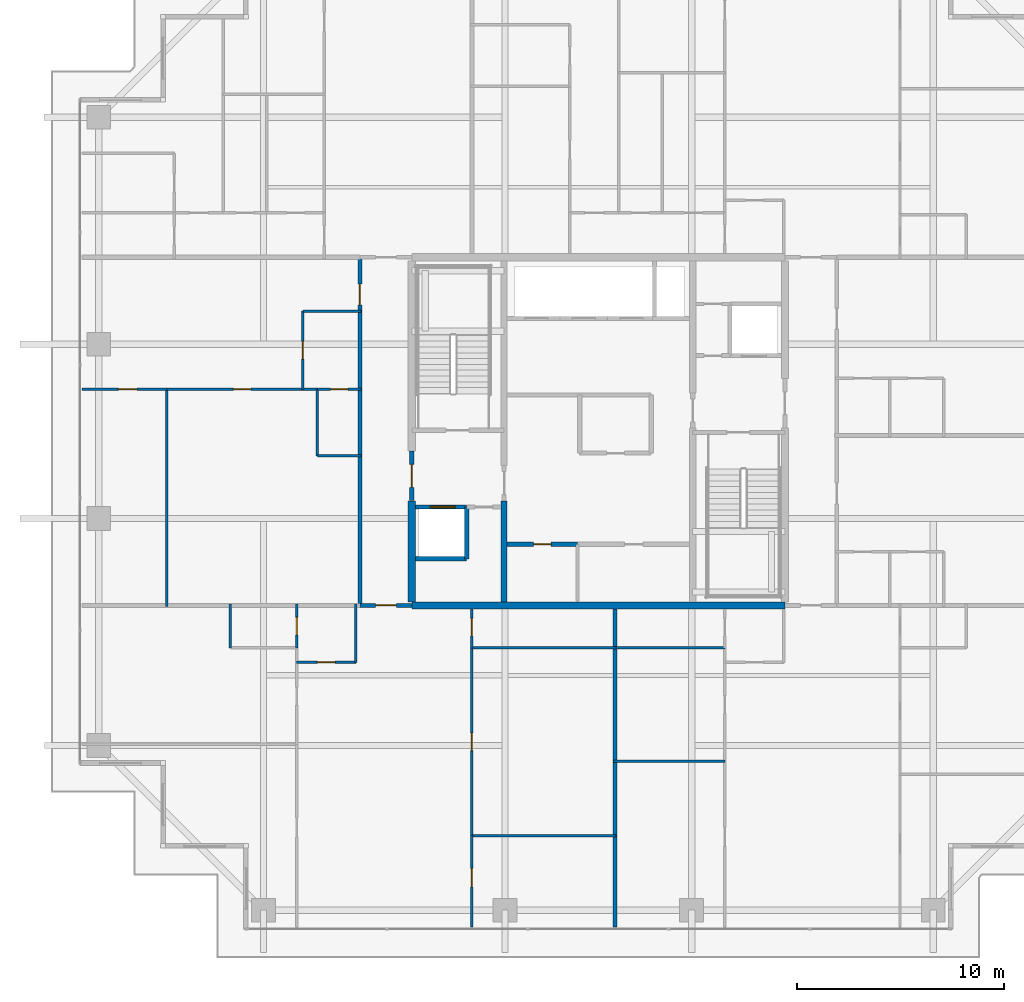
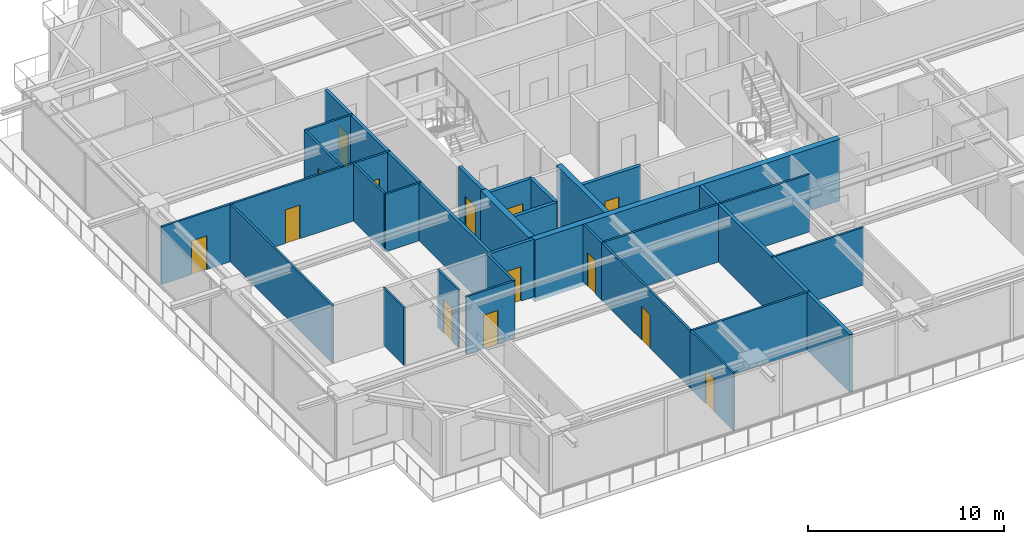
# One storey, part 26 of 37: 30 walls, 14 doors, 14 openings.
"""IFC4 building model written with IfcOpenShell, lengths in metres."""

from ifc_helpers import new_model, si_unit, direction, frame, frame_2d, origin, place, context, subcontext, project, spatial, rectangle, extrude, source, transform, mapped, material, layer, layer_set, type_object, element, fill, save


model = new_model("IFC4")

# Units and contexts
model_context = context("Model", 3, precision=1e-05, world=origin(), true_north=direction((0.0, 1.0)))
body_context = subcontext(model_context, "Body", "Model", "MODEL_VIEW")
ifc_project = project(units=[si_unit("LENGTHUNIT", "METRE"), si_unit("AREAUNIT", "SQUARE_METRE"), si_unit("VOLUMEUNIT", "CUBIC_METRE"), si_unit("PLANEANGLEUNIT", "RADIAN"), si_unit("MASSUNIT", "GRAM", prefix="KILO")], contexts=[model_context])

# Site, building, storey
site_placement = place(None, origin())
site = spatial("IfcSite", under=ifc_project, at=site_placement, CompositionType="ELEMENT")
building_placement = place(site_placement, origin())
building = spatial("IfcBuilding", under=site, at=building_placement, Name="Serunith Strait Residences", CompositionType="ELEMENT")
storey_placement = place(building_placement, frame((0.0, 0.0, 279.75)))
storey = spatial("IfcBuildingStorey", under=building, at=storey_placement, Name="L70", CompositionType="ELEMENT", Elevation=279.75)

# Wall, opening, door
ifc_material_1 = material(Name="Fire-rated acoustic gypsum partition")
ifc_layer_1 = layer(ifc_material_1, 0.179931640625, Name="Fire-rated acoustic gypsum partition")
ifc_layer_set_1 = layer_set([ifc_layer_1], Name="Fire-rated acoustic gypsum partition")
wall_type_1 = type_object("IfcWallType", Name="IW-CORR-180", PredefinedType="PARTITIONING", material=ifc_layer_set_1)
wall_1_placement = place(storey_placement, frame((20.902099609375, 16.800048828125, 0.0), z_axis=(0.0, 0.0, 1.0), x_axis=(1.0, 0.0, 0.0)))
wall_1 = element("IfcWall", 1, at=wall_1_placement, inside=storey, type_object=wall_type_1, Name="L70 Partition Wall 026", PredefinedType="PARTITIONING", context=body_context, shape_type="SweptSolid", body=[
    extrude(rectangle(XDim=2.495849609375, YDim=0.179931640625, at=frame_2d((1.248046875, 0.0))), origin(), (0.0, 0.0, 1.0), 3.590087890625),
])
opening_1_placement = place(wall_1_placement, frame((0.748046875, 0.0, 0.0)))
opening_1 = element("IfcOpeningElement", 2, at=opening_1_placement, cuts=wall_1, Name="Opening D-APT1000", PredefinedType="OPENING", context=body_context, shape_type="SweptSolid", body=[
    extrude(rectangle(XDim=1.0, YDim=2.14990234375, at=frame_2d((0.5, 1.074951171875))), frame((0.0, 0.10009765625, 0.0), z_axis=(0.0, -1.0, 0.0), x_axis=(1.0, 0.0, 0.0)), (0.0, 0.0, 1.0), 0.199951171875),
])
ifc_material_2 = material(Name="Solid timber engineered fire door", Category="wood")
door_type_1 = type_object("IfcDoorType", Name="ID-APT-1000", OperationType="NOTDEFINED", PredefinedType="DOOR", material=ifc_material_2)
shared_shape_1 = source(origin(), body_context, "Body", "SweptSolid", [
    extrude(rectangle(XDim=1.0, YDim=2.14990234375, at=frame_2d((0.5, 1.074951171875))), frame((0.0, 0.02490234375, 0.0), z_axis=(0.0, -1.0, 0.0), x_axis=(1.0, 0.0, 0.0)), (0.0, 0.0, 1.0), 0.050048828125),
])
door_1_placement = place(opening_1_placement, origin())
door_1 = element("IfcDoor", 3, at=door_1_placement, inside=storey, type_object=door_type_1, Name="L70 Unit 01 Entrance Door", OperationType="SINGLE_SWING_RIGHT", OverallHeight=2.14990234375, OverallWidth=1.0, PredefinedType="DOOR", context=body_context, shape_type="MappedRepresentation", body=[
    mapped(shared_shape_1, transform((0.0, 0.0, 0.0), scale=1.0)),
])
fill(opening_1, door_1)

wall_2_placement = place(storey_placement, frame((20.89990234375, 16.800048828125, 0.0), z_axis=(0.0, 0.0, 1.0), x_axis=(0.0, 1.0, 0.0)))
wall_2 = element("IfcWall", 4, at=wall_2_placement, inside=storey, type_object=wall_type_1, Name="L70 Partition Wall 028", PredefinedType="PARTITIONING", context=body_context, shape_type="SweptSolid", body=[
    extrude(rectangle(XDim=16.800048828125, YDim=0.179931640625, at=frame_2d((8.39990234375, 0.0))), origin(), (0.0, 0.0, 1.0), 3.590087890625),
])
opening_2_placement = place(wall_2_placement, frame((14.5, 0.0, 0.0)))
opening_2 = element("IfcOpeningElement", 5, at=opening_2_placement, cuts=wall_2, Name="Opening D-APT1000", PredefinedType="OPENING", context=body_context, shape_type="SweptSolid", body=[
    extrude(rectangle(XDim=1.0, YDim=2.14990234375, at=frame_2d((0.5, 1.074951171875))), frame((0.0, 0.10009765625, 0.0), z_axis=(0.0, -1.0, 0.0), x_axis=(1.0, 0.0, 0.0)), (0.0, 0.0, 1.0), 0.199951171875),
])
door_2_placement = place(opening_2_placement, origin())
door_2 = element("IfcDoor", 6, at=door_2_placement, inside=storey, type_object=door_type_1, Name="L70 Unit 05 Entrance Door", OperationType="SINGLE_SWING_RIGHT", OverallHeight=2.14990234375, OverallWidth=1.0, PredefinedType="DOOR", context=body_context, shape_type="MappedRepresentation", body=[
    mapped(shared_shape_1, transform((0.0, 0.0, 0.0), scale=1.0)),
])
fill(opening_2, door_2)

ifc_material_3 = material(Name="Lightweight steel-stud gypsum partition", Category="steel")
ifc_layer_2 = layer(ifc_material_3, 0.1201171875, Name="Lightweight steel-stud gypsum partition")
ifc_layer_set_2 = layer_set([ifc_layer_2], Name="Lightweight steel-stud gypsum partition")
wall_type_2 = type_object("IfcWallType", Name="IW-PART-120", PredefinedType="PARTITIONING", material=ifc_layer_set_2)
wall_3_placement = place(storey_placement, frame((17.85009765625, 14.050048828125, 0.0), z_axis=(0.0, 0.0, 1.0), x_axis=(1.0, 0.0, 0.0)))
wall_3 = element("IfcWall", 7, at=wall_3_placement, inside=storey, type_object=wall_type_2, Name="L70 Partition Wall 032", PredefinedType="PARTITIONING", context=body_context, shape_type="SweptSolid", body=[
    extrude(rectangle(XDim=2.849853515625, YDim=0.1201171875, at=frame_2d((1.4248046875, 0.0))), origin(), (0.0, 0.0, 1.0), 3.590087890625),
])
opening_3_placement = place(wall_3_placement, frame((1.0, 0.0, 0.0)))
opening_3 = element("IfcOpeningElement", 8, at=opening_3_placement, cuts=wall_3, Name="Opening D-RM850", PredefinedType="OPENING", context=body_context, shape_type="SweptSolid", body=[
    extrude(rectangle(XDim=0.85009765625, YDim=2.10009765625, at=frame_2d((0.425048828125, 1.050048828125))), frame((0.0, 0.070068359375, 0.0), z_axis=(0.0, -1.0, 0.0), x_axis=(1.0, 0.0, 0.0)), (0.0, 0.0, 1.0), 0.14013671875),
])
ifc_material_4 = material(Name="Engineered timber flush study and kitchen door", Category="wood")
door_type_2 = type_object("IfcDoorType", Name="ID-ROOM-850", OperationType="NOTDEFINED", PredefinedType="DOOR", material=ifc_material_4)
shared_shape_2 = source(origin(), body_context, "Body", "SweptSolid", [
    extrude(rectangle(XDim=0.85009765625, YDim=2.10009765625, at=frame_2d((0.425048828125, 1.050048828125))), frame((0.0, 0.02490234375, 0.0), z_axis=(0.0, -1.0, 0.0), x_axis=(1.0, 0.0, 0.0)), (0.0, 0.0, 1.0), 0.050048828125),
])
door_3_placement = place(opening_3_placement, origin())
door_3 = element("IfcDoor", 9, at=door_3_placement, inside=storey, type_object=door_type_2, Name="L70 Kitchen 7001 Door", OperationType="SINGLE_SWING_LEFT", OverallHeight=2.10009765625, OverallWidth=0.85009765625, PredefinedType="DOOR", context=body_context, shape_type="MappedRepresentation", body=[
    mapped(shared_shape_2, transform((0.0, 0.0, 0.0), scale=1.0)),
])
fill(opening_3, door_3)

# Walls
wall_4_placement = place(storey_placement, frame((20.699951171875, 14.050048828125, 0.0), z_axis=(0.0, 0.0, 1.0), x_axis=(0.0, 1.0, 0.0)))
element("IfcWall", 10, at=wall_4_placement, inside=storey, type_object=wall_type_2, Name="L70 Partition Wall 033", PredefinedType="PARTITIONING", context=body_context, shape_type="SweptSolid", body=[
    extrude(rectangle(XDim=2.81005859375, YDim=0.1201171875, at=frame_2d((1.405029296875, 0.0))), origin(), (0.0, 0.0, 1.0), 3.590087890625),
])
wall_5_placement = place(storey_placement, frame((14.64990234375, 14.75, 0.0), z_axis=(0.0, 0.0, 1.0), x_axis=(0.0, 1.0, 0.0)))
element("IfcWall", 11, at=wall_5_placement, inside=storey, type_object=wall_type_2, Name="L70 Partition Wall 037", PredefinedType="PARTITIONING", context=body_context, shape_type="SweptSolid", body=[
    extrude(rectangle(XDim=2.110107421875, YDim=0.1201171875, at=frame_2d((1.05517578125, 0.0))), origin(), (0.0, 0.0, 1.0), 3.590087890625),
])

# Wall, opening, door
wall_6_placement = place(storey_placement, frame((17.85009765625, 14.751953125, 0.0), z_axis=(0.0, 0.0, 1.0), x_axis=(0.0, 1.0, 0.0)))
wall_6 = element("IfcWall", 12, at=wall_6_placement, inside=storey, type_object=wall_type_2, Name="L70 Partition Wall 039", PredefinedType="PARTITIONING", context=body_context, shape_type="SweptSolid", body=[
    extrude(rectangle(XDim=2.108154296875, YDim=0.1201171875, at=frame_2d((1.05419921875, 0.0))), origin(), (0.0, 0.0, 1.0), 3.590087890625),
])
opening_4_placement = place(wall_6_placement, frame((0.62890625, 0.0, 0.0)))
opening_4 = element("IfcOpeningElement", 13, at=opening_4_placement, cuts=wall_6, Name="Opening D-BTH850", PredefinedType="OPENING", context=body_context, shape_type="SweptSolid", body=[
    extrude(rectangle(XDim=0.85009765625, YDim=2.10009765625, at=frame_2d((0.425048828125, 1.050048828125))), frame((0.0, 0.070068359375, 0.0), z_axis=(0.0, -1.0, 0.0), x_axis=(1.0, 0.0, 0.0)), (0.0, 0.0, 1.0), 0.14013671875),
])
ifc_material_5 = material(Name="Moisture-resistant timber bathroom door", Category="wood")
door_type_3 = type_object("IfcDoorType", Name="ID-BATH-850", OperationType="NOTDEFINED", PredefinedType="DOOR", material=ifc_material_5)
door_4_placement = place(opening_4_placement, origin())
door_4 = element("IfcDoor", 14, at=door_4_placement, inside=storey, type_object=door_type_3, Name="L70 Bathroom 7001 Door", OperationType="SINGLE_SWING_RIGHT", OverallHeight=2.10009765625, OverallWidth=0.85009765625, PredefinedType="DOOR", context=body_context, shape_type="MappedRepresentation", body=[
    mapped(shared_shape_2, transform((0.0, 0.0, 0.0), scale=1.0)),
])
fill(opening_4, door_4)

wall_7_placement = place(storey_placement, frame((26.300048828125, 1.294921875, 0.0), z_axis=(0.0, 0.0, 1.0), x_axis=(0.0, 1.0, 0.0)))
wall_7 = element("IfcWall", 15, at=wall_7_placement, inside=storey, type_object=wall_type_2, Name="L70 Partition Wall 040", PredefinedType="PARTITIONING", context=body_context, shape_type="SweptSolid", body=[
    extrude(rectangle(XDim=4.401123046875, YDim=0.1201171875, at=frame_2d((2.20068359375, 0.0))), origin(), (0.0, 0.0, 1.0), 3.590087890625),
])
opening_5_placement = place(wall_7_placement, frame((1.926025390625, 0.0, 0.0)))
opening_5 = element("IfcOpeningElement", 16, at=opening_5_placement, cuts=wall_7, Name="Opening D-RM900", PredefinedType="OPENING", context=body_context, shape_type="SweptSolid", body=[
    extrude(rectangle(XDim=0.89990234375, YDim=2.10009765625, at=frame_2d((0.449951171875, 1.050048828125))), frame((0.0, 0.070068359375, 0.0), z_axis=(0.0, -1.0, 0.0), x_axis=(1.0, 0.0, 0.0)), (0.0, 0.0, 1.0), 0.14013671875),
])
ifc_material_6 = material(Name="Engineered timber flush bedroom door", Category="wood")
door_type_4 = type_object("IfcDoorType", Name="ID-ROOM-900", OperationType="NOTDEFINED", PredefinedType="DOOR", material=ifc_material_6)
shared_shape_3 = source(origin(), body_context, "Body", "SweptSolid", [
    extrude(rectangle(XDim=0.89990234375, YDim=2.10009765625, at=frame_2d((0.449951171875, 1.050048828125))), frame((0.0, 0.02490234375, 0.0), z_axis=(0.0, -1.0, 0.0), x_axis=(1.0, 0.0, 0.0)), (0.0, 0.0, 1.0), 0.050048828125),
])
door_5_placement = place(opening_5_placement, origin())
door_5 = element("IfcDoor", 17, at=door_5_placement, inside=storey, type_object=door_type_4, Name="L70 Bedroom 2 7001 Door", OperationType="SINGLE_SWING_LEFT", OverallHeight=2.10009765625, OverallWidth=0.89990234375, PredefinedType="DOOR", context=body_context, shape_type="MappedRepresentation", body=[
    mapped(shared_shape_3, transform((0.0, 0.0, 0.0), scale=1.0)),
])
fill(opening_5, door_5)

# Walls
for number, where, z_axis, x_axis, name in (
    (18, (26.300048828125, 5.696044921875, 0.0), (0.0, 0.0, 1.0), (1.0, 0.0, 0.0), "L70 Partition Wall 041"),
    (19, (26.300048828125, 14.75, 0.0), (0.0, 0.0, 1.0), (1.0, 0.0, 0.0), "L70 Partition Wall 042"),
):
    element("IfcWall", number, at=place(storey_placement, frame(where, z_axis=z_axis, x_axis=x_axis)), inside=storey, type_object=wall_type_2, Name=name, PredefinedType="PARTITIONING", context=body_context, shape_type="SweptSolid", body=[
        extrude(rectangle(XDim=6.9599609375, YDim=0.1201171875, at=frame_2d((3.47998046875, 0.0))), origin(), (0.0, 0.0, 1.0), 3.590087890625),
    ])

# Wall, opening, door
wall_8_placement = place(storey_placement, frame((26.300048828125, 5.697998046875, 0.0), z_axis=(0.0, 0.0, 1.0), x_axis=(0.0, 1.0, 0.0)))
wall_8 = element("IfcWall", 20, at=wall_8_placement, inside=storey, type_object=wall_type_2, Name="L70 Partition Wall 043", PredefinedType="PARTITIONING", context=body_context, shape_type="SweptSolid", body=[
    extrude(rectangle(XDim=9.052001953125, YDim=0.1201171875, at=frame_2d((4.52587890625, 0.0))), origin(), (0.0, 0.0, 1.0), 3.590087890625),
])
opening_6_placement = place(wall_8_placement, frame((4.10107421875, 0.0, 0.0)))
opening_6 = element("IfcOpeningElement", 21, at=opening_6_placement, cuts=wall_8, Name="Opening D-RM850", PredefinedType="OPENING", context=body_context, shape_type="SweptSolid", body=[
    extrude(rectangle(XDim=0.85009765625, YDim=2.10009765625, at=frame_2d((0.425048828125, 1.050048828125))), frame((0.0, 0.070068359375, 0.0), z_axis=(0.0, -1.0, 0.0), x_axis=(1.0, 0.0, 0.0)), (0.0, 0.0, 1.0), 0.14013671875),
])
door_6_placement = place(opening_6_placement, origin())
door_6 = element("IfcDoor", 22, at=door_6_placement, inside=storey, type_object=door_type_2, Name="L70 Walk-in Wardrobe 7001 Door", OperationType="SINGLE_SWING_RIGHT", OverallHeight=2.10009765625, OverallWidth=0.85009765625, PredefinedType="DOOR", context=body_context, shape_type="MappedRepresentation", body=[
    mapped(shared_shape_2, transform((0.0, 0.0, 0.0), scale=1.0)),
])
fill(opening_6, door_6)

wall_9_placement = place(storey_placement, frame((26.300048828125, 14.751953125, 0.0), z_axis=(0.0, 0.0, 1.0), x_axis=(0.0, 1.0, 0.0)))
wall_9 = element("IfcWall", 23, at=wall_9_placement, inside=storey, type_object=wall_type_2, Name="L70 Partition Wall 044", PredefinedType="PARTITIONING", context=body_context, shape_type="SweptSolid", body=[
    extrude(rectangle(XDim=1.873046875, YDim=0.1201171875, at=frame_2d((0.9365234375, 0.0))), origin(), (0.0, 0.0, 1.0), 3.590087890625),
])
opening_7_placement = place(wall_9_placement, frame((0.574951171875, 0.0, 0.0)))
opening_7 = element("IfcOpeningElement", 24, at=opening_7_placement, cuts=wall_9, Name="Opening D-BTH850", PredefinedType="OPENING", context=body_context, shape_type="SweptSolid", body=[
    extrude(rectangle(XDim=0.85009765625, YDim=2.10009765625, at=frame_2d((0.425048828125, 1.050048828125))), frame((0.0, 0.070068359375, 0.0), z_axis=(0.0, -1.0, 0.0), x_axis=(1.0, 0.0, 0.0)), (0.0, 0.0, 1.0), 0.14013671875),
])
door_7_placement = place(opening_7_placement, origin())
door_7 = element("IfcDoor", 25, at=door_7_placement, inside=storey, type_object=door_type_3, Name="L70 Bathroom 7001 Door", OperationType="SINGLE_SWING_LEFT", OverallHeight=2.10009765625, OverallWidth=0.85009765625, PredefinedType="DOOR", context=body_context, shape_type="MappedRepresentation", body=[
    mapped(shared_shape_2, transform((0.0, 0.0, 0.0), scale=1.0)),
])
fill(opening_7, door_7)

# Walls
wall_10_placement = place(storey_placement, frame((33.139892578125, 9.285888671875, 0.0), z_axis=(0.0, 0.0, 1.0), x_axis=(1.0, 0.0, 0.0)))
element("IfcWall", 26, at=wall_10_placement, inside=storey, type_object=wall_type_2, Name="L70 Partition Wall 048", PredefinedType="PARTITIONING", context=body_context, shape_type="SweptSolid", body=[
    extrude(rectangle(XDim=5.360107421875, YDim=0.1201171875, at=frame_2d((2.68017578125, 0.0))), origin(), (0.0, 0.0, 1.0), 3.590087890625),
])
wall_11_placement = place(storey_placement, frame((33.261962890625, 14.75, 0.0), z_axis=(0.0, 0.0, 1.0), x_axis=(1.0, 0.0, 0.0)))
element("IfcWall", 27, at=wall_11_placement, inside=storey, type_object=wall_type_2, Name="L70 Partition Wall 049", PredefinedType="PARTITIONING", context=body_context, shape_type="SweptSolid", body=[
    extrude(rectangle(XDim=5.238037109375, YDim=0.1201171875, at=frame_2d((2.619140625, 0.0))), origin(), (0.0, 0.0, 1.0), 3.590087890625),
])

# Wall, opening, door
wall_12_placement = place(storey_placement, frame((18.14990234375, 27.219970703125, 0.0), z_axis=(0.0, 0.0, 1.0), x_axis=(0.0, 1.0, 0.0)))
wall_12 = element("IfcWall", 28, at=wall_12_placement, inside=storey, type_object=wall_type_2, Name="L70 Partition Wall 093", PredefinedType="PARTITIONING", context=body_context, shape_type="SweptSolid", body=[
    extrude(rectangle(XDim=3.780029296875, YDim=0.1201171875, at=frame_2d((1.89013671875, 0.0))), origin(), (0.0, 0.0, 1.0), 3.590087890625),
])
opening_8_placement = place(wall_12_placement, frame((1.465087890625, 0.0, 0.0)))
opening_8 = element("IfcOpeningElement", 29, at=opening_8_placement, cuts=wall_12, Name="Opening D-RM850", PredefinedType="OPENING", context=body_context, shape_type="SweptSolid", body=[
    extrude(rectangle(XDim=0.85009765625, YDim=2.10009765625, at=frame_2d((0.425048828125, 1.050048828125))), frame((0.0, 0.070068359375, 0.0), z_axis=(0.0, -1.0, 0.0), x_axis=(1.0, 0.0, 0.0)), (0.0, 0.0, 1.0), 0.14013671875),
])
door_8_placement = place(opening_8_placement, origin())
door_8 = element("IfcDoor", 30, at=door_8_placement, inside=storey, type_object=door_type_2, Name="L70 Kitchen 7005 Door", OperationType="SINGLE_SWING_LEFT", OverallHeight=2.10009765625, OverallWidth=0.85009765625, PredefinedType="DOOR", context=body_context, shape_type="MappedRepresentation", body=[
    mapped(shared_shape_2, transform((0.0, 0.0, 0.0), scale=1.0)),
])
fill(opening_8, door_8)

# Wall
wall_13_placement = place(storey_placement, frame((18.14990234375, 31.0, 0.0), z_axis=(0.0, 0.0, 1.0), x_axis=(1.0, 0.0, 0.0)))
element("IfcWall", 31, at=wall_13_placement, inside=storey, type_object=wall_type_2, Name="L70 Partition Wall 094", PredefinedType="PARTITIONING", context=body_context, shape_type="SweptSolid", body=[
    extrude(rectangle(XDim=2.81005859375, YDim=0.1201171875, at=frame_2d((1.405029296875, 0.0))), origin(), (0.0, 0.0, 1.0), 3.590087890625),
])

# Wall, opening, door
wall_14_placement = place(storey_placement, frame((7.4951171875, 27.219970703125, 0.0), z_axis=(0.0, 0.0, 1.0), x_axis=(1.0, 0.0, 0.0)))
wall_14 = element("IfcWall", 32, at=wall_14_placement, inside=storey, type_object=wall_type_2, Name="L70 Partition Wall 095", PredefinedType="PARTITIONING", context=body_context, shape_type="SweptSolid", body=[
    extrude(rectangle(XDim=4.0888671875, YDim=0.1201171875, at=frame_2d((2.04443359375, 0.0))), origin(), (0.0, 0.0, 1.0), 3.590087890625),
])
opening_9_placement = place(wall_14_placement, frame((1.75390625, 0.0, 0.0)))
opening_9 = element("IfcOpeningElement", 33, at=opening_9_placement, cuts=wall_14, Name="Opening D-RM900", PredefinedType="OPENING", context=body_context, shape_type="SweptSolid", body=[
    extrude(rectangle(XDim=0.89990234375, YDim=2.10009765625, at=frame_2d((0.449951171875, 1.050048828125))), frame((0.0, 0.070068359375, 0.0), z_axis=(0.0, -1.0, 0.0), x_axis=(1.0, 0.0, 0.0)), (0.0, 0.0, 1.0), 0.14013671875),
])
door_9_placement = place(opening_9_placement, origin())
door_9 = element("IfcDoor", 34, at=door_9_placement, inside=storey, type_object=door_type_4, Name="L70 Master Bedroom 1 7005 Door", OperationType="SINGLE_SWING_RIGHT", OverallHeight=2.10009765625, OverallWidth=0.89990234375, PredefinedType="DOOR", context=body_context, shape_type="MappedRepresentation", body=[
    mapped(shared_shape_3, transform((0.0, 0.0, 0.0), scale=1.0)),
])
fill(opening_9, door_9)

# Walls
wall_15_placement = place(storey_placement, frame((11.583984375, 16.739990234375, 0.0), z_axis=(0.0, 0.0, 1.0), x_axis=(0.0, 1.0, 0.0)))
element("IfcWall", 35, at=wall_15_placement, inside=storey, type_object=wall_type_2, Name="L70 Partition Wall 096", PredefinedType="PARTITIONING", context=body_context, shape_type="SweptSolid", body=[
    extrude(rectangle(XDim=10.47998046875, YDim=0.1201171875, at=frame_2d((5.239990234375, 0.0))), origin(), (0.0, 0.0, 1.0), 3.590087890625),
])
wall_16_placement = place(storey_placement, frame((18.85009765625, 24.02001953125, 0.0), z_axis=(0.0, 0.0, 1.0), x_axis=(0.0, 1.0, 0.0)))
element("IfcWall", 36, at=wall_16_placement, inside=storey, type_object=wall_type_2, Name="L70 Partition Wall 097", PredefinedType="PARTITIONING", context=body_context, shape_type="SweptSolid", body=[
    extrude(rectangle(XDim=3.199951171875, YDim=0.1201171875, at=frame_2d((1.60009765625, 0.0))), origin(), (0.0, 0.0, 1.0), 3.590087890625),
])
wall_17_placement = place(storey_placement, frame((18.85009765625, 24.02001953125, 0.0), z_axis=(0.0, 0.0, 1.0), x_axis=(1.0, 0.0, 0.0)))
element("IfcWall", 37, at=wall_17_placement, inside=storey, type_object=wall_type_2, Name="L70 Partition Wall 098", PredefinedType="PARTITIONING", context=body_context, shape_type="SweptSolid", body=[
    extrude(rectangle(XDim=2.10986328125, YDim=0.1201171875, at=frame_2d((1.054931640625, 0.0))), origin(), (0.0, 0.0, 1.0), 3.590087890625),
])

# Wall, opening, door
wall_18_placement = place(storey_placement, frame((11.5859375, 27.219970703125, 0.0), z_axis=(0.0, 0.0, 1.0), x_axis=(1.0, 0.0, 0.0)))
wall_18 = element("IfcWall", 38, at=wall_18_placement, inside=storey, type_object=wall_type_2, Name="L70 Partition Wall 099", PredefinedType="PARTITIONING", context=body_context, shape_type="SweptSolid", body=[
    extrude(rectangle(XDim=7.26416015625, YDim=0.1201171875, at=frame_2d((3.632080078125, 0.0))), origin(), (0.0, 0.0, 1.0), 3.590087890625),
])
opening_10_placement = place(wall_18_placement, frame((3.20703125, 0.0, 0.0)))
opening_10 = element("IfcOpeningElement", 39, at=opening_10_placement, cuts=wall_18, Name="Opening D-RM850", PredefinedType="OPENING", context=body_context, shape_type="SweptSolid", body=[
    extrude(rectangle(XDim=0.85009765625, YDim=2.10009765625, at=frame_2d((0.425048828125, 1.050048828125))), frame((0.0, 0.070068359375, 0.0), z_axis=(0.0, -1.0, 0.0), x_axis=(1.0, 0.0, 0.0)), (0.0, 0.0, 1.0), 0.14013671875),
])
door_10_placement = place(opening_10_placement, origin())
door_10 = element("IfcDoor", 40, at=door_10_placement, inside=storey, type_object=door_type_2, Name="L70 Walk-in Wardrobe 7005 Door", OperationType="SINGLE_SWING_LEFT", OverallHeight=2.10009765625, OverallWidth=0.85009765625, PredefinedType="DOOR", context=body_context, shape_type="MappedRepresentation", body=[
    mapped(shared_shape_2, transform((0.0, 0.0, 0.0), scale=1.0)),
])
fill(opening_10, door_10)

wall_19_placement = place(storey_placement, frame((18.85205078125, 27.219970703125, 0.0), z_axis=(0.0, 0.0, 1.0), x_axis=(1.0, 0.0, 0.0)))
wall_19 = element("IfcWall", 41, at=wall_19_placement, inside=storey, type_object=wall_type_2, Name="L70 Partition Wall 100", PredefinedType="PARTITIONING", context=body_context, shape_type="SweptSolid", body=[
    extrude(rectangle(XDim=2.10791015625, YDim=0.1201171875, at=frame_2d((1.053955078125, 0.0))), origin(), (0.0, 0.0, 1.0), 3.590087890625),
])
opening_11_placement = place(wall_19_placement, frame((0.62890625, 0.0, 0.0)))
opening_11 = element("IfcOpeningElement", 42, at=opening_11_placement, cuts=wall_19, Name="Opening D-BTH850", PredefinedType="OPENING", context=body_context, shape_type="SweptSolid", body=[
    extrude(rectangle(XDim=0.85009765625, YDim=2.10009765625, at=frame_2d((0.425048828125, 1.050048828125))), frame((0.0, 0.070068359375, 0.0), z_axis=(0.0, -1.0, 0.0), x_axis=(1.0, 0.0, 0.0)), (0.0, 0.0, 1.0), 0.14013671875),
])
door_11_placement = place(opening_11_placement, origin())
door_11 = element("IfcDoor", 43, at=door_11_placement, inside=storey, type_object=door_type_3, Name="L70 Bathroom 7005 Door", OperationType="SINGLE_SWING_RIGHT", OverallHeight=2.10009765625, OverallWidth=0.85009765625, PredefinedType="DOOR", context=body_context, shape_type="MappedRepresentation", body=[
    mapped(shared_shape_2, transform((0.0, 0.0, 0.0), scale=1.0)),
])
fill(opening_11, door_11)

# Wall
ifc_material_7 = material(Name="Twin-stud acoustic gypsum board partition")
ifc_layer_3 = layer(ifc_material_7, 0.199951171875, Name="Twin-stud acoustic gypsum board partition")
ifc_layer_set_3 = layer_set([ifc_layer_3], Name="Twin-stud acoustic gypsum board partition")
wall_type_3 = type_object("IfcWallType", Name="IW-PARTY-200", PredefinedType="PARTITIONING", material=ifc_layer_set_3)
wall_20_placement = place(storey_placement, frame((33.199951171875, 1.281982421875, 0.0), z_axis=(0.0, 0.0, 1.0), x_axis=(0.0, 1.0, 0.0)))
element("IfcWall", 44, at=wall_20_placement, inside=storey, type_object=wall_type_3, Name="L70 Partition Wall 019", PredefinedType="PARTITIONING", context=body_context, shape_type="SweptSolid", body=[
    extrude(rectangle(XDim=15.343017578125, YDim=0.199951171875, at=frame_2d((7.67138671875, 0.0))), origin(), (0.0, 0.0, 1.0), 3.590087890625),
])

# Wall, opening, door
ifc_material_8 = material(Name="Autoclaved aerated concrete blockwork", Category="masonry")
ifc_layer_4 = layer(ifc_material_8, 0.199951171875, Name="Autoclaved aerated concrete blockwork")
ifc_layer_set_4 = layer_set([ifc_layer_4], Name="Autoclaved aerated concrete blockwork")
wall_type_4 = type_object("IfcWallType", Name="IW-SHAFT-200", PredefinedType="STANDARD", material=ifc_layer_set_4)
wall_21_placement = place(storey_placement, frame((23.574951171875, 21.550048828125, 0.0), z_axis=(0.0, 0.0, 1.0), x_axis=(1.0, 0.0, 0.0)))
wall_21 = element("IfcWall", 45, at=wall_21_placement, inside=storey, type_object=wall_type_4, Name="L70 FL-1 North Shaft Wall", PredefinedType="STANDARD", context=body_context, shape_type="SweptSolid", body=[
    extrude(rectangle(XDim=2.47509765625, YDim=0.199951171875, at=frame_2d((1.237548828125, 0.0))), origin(), (0.0, 0.0, 1.0), 3.590087890625),
])
opening_12_placement = place(wall_21_placement, frame((0.72509765625, 0.0, 0.0)))
opening_12 = element("IfcOpeningElement", 46, at=opening_12_placement, cuts=wall_21, Name="Opening LD-FF1200", PredefinedType="OPENING", context=body_context, shape_type="SweptSolid", body=[
    extrude(rectangle(XDim=1.199951171875, YDim=2.199951171875, at=frame_2d((0.60009765625, 1.10009765625))), frame((0.0, 0.10986328125, 0.0), z_axis=(0.0, -1.0, 0.0), x_axis=(1.0, 0.0, 0.0)), (0.0, 0.0, 1.0), 0.219970703125),
])
ifc_material_9 = material(Name="Brushed stainless steel landing door", Category="steel")
door_type_5 = type_object("IfcDoorType", Name="LD-FF-1200", OperationType="DOUBLE_DOOR_SLIDING", PredefinedType="DOOR", material=ifc_material_9)
shared_shape_4 = source(origin(), body_context, "Body", "SweptSolid", [
    extrude(rectangle(XDim=1.199951171875, YDim=2.199951171875, at=frame_2d((0.60009765625, 1.10009765625))), frame((0.0, 0.02490234375, 0.0), z_axis=(0.0, -1.0, 0.0), x_axis=(1.0, 0.0, 0.0)), (0.0, 0.0, 1.0), 0.050048828125),
])
door_12_placement = place(opening_12_placement, origin())
door_12 = element("IfcDoor", 47, at=door_12_placement, inside=storey, type_object=door_type_5, Name="L70 FL-1 Landing Door", OperationType="DOUBLE_DOOR_SLIDING", OverallHeight=2.199951171875, OverallWidth=1.199951171875, PredefinedType="DOOR", context=body_context, shape_type="MappedRepresentation", body=[
    mapped(shared_shape_4, transform((0.0, 0.0, 0.0), scale=1.0)),
])
fill(opening_12, door_12)

# Walls
wall_22_placement = place(storey_placement, frame((26.050048828125, 19.050048828125, 0.0), z_axis=(0.0, 0.0, 1.0), x_axis=(0.0, 1.0, 0.0)))
element("IfcWall", 48, at=wall_22_placement, inside=storey, type_object=wall_type_4, Name="L70 Partition Wall 001", PredefinedType="STANDARD", context=body_context, shape_type="SweptSolid", body=[
    extrude(rectangle(XDim=2.5, YDim=0.199951171875, at=frame_2d((1.25, 0.0))), origin(), (0.0, 0.0, 1.0), 3.590087890625),
])
wall_23_placement = place(storey_placement, frame((23.574951171875, 19.050048828125, 0.0), z_axis=(0.0, 0.0, 1.0), x_axis=(1.0, 0.0, 0.0)))
element("IfcWall", 49, at=wall_23_placement, inside=storey, type_object=wall_type_4, Name="L70 Partition Wall 002", PredefinedType="STANDARD", context=body_context, shape_type="SweptSolid", body=[
    extrude(rectangle(XDim=2.47509765625, YDim=0.199951171875, at=frame_2d((1.237548828125, 0.0))), origin(), (0.0, 0.0, 1.0), 3.590087890625),
])

# Wall, opening, door
wall_24_placement = place(storey_placement, frame((23.39990234375, 21.85205078125, 0.0), z_axis=(0.0, 0.0, 1.0), x_axis=(0.0, 1.0, 0.0)))
wall_24 = element("IfcWall", 50, at=wall_24_placement, inside=storey, type_object=wall_type_4, Name="L70 Partition Wall 007", PredefinedType="STANDARD", context=body_context, shape_type="SweptSolid", body=[
    extrude(rectangle(XDim=2.39599609375, YDim=0.199951171875, at=frame_2d((1.197998046875, 0.0))), origin(), (0.0, 0.0, 1.0), 3.590087890625),
])
opening_13_placement = place(wall_24_placement, frame((0.64794921875, 0.0, 0.0)))
opening_13 = element("IfcOpeningElement", 51, at=opening_13_placement, cuts=wall_24, Name="Opening FD-FFL", PredefinedType="OPENING", context=body_context, shape_type="SweptSolid", body=[
    extrude(rectangle(XDim=1.10009765625, YDim=2.14990234375, at=frame_2d((0.550048828125, 1.074951171875))), frame((0.0, 0.10986328125, 0.0), z_axis=(0.0, -1.0, 0.0), x_axis=(1.0, 0.0, 0.0)), (0.0, 0.0, 1.0), 0.219970703125),
])
ifc_material_10 = material(Name="Glazed steel smoke-lobby fire door", Category="steel")
door_type_6 = type_object("IfcDoorType", Name="FD-FFL-1100", OperationType="NOTDEFINED", PredefinedType="DOOR", material=ifc_material_10)
shared_shape_5 = source(origin(), body_context, "Body", "SweptSolid", [
    extrude(rectangle(XDim=1.10009765625, YDim=2.14990234375, at=frame_2d((0.550048828125, 1.074951171875))), frame((0.0, 0.02490234375, 0.0), z_axis=(0.0, -1.0, 0.0), x_axis=(1.0, 0.0, 0.0)), (0.0, 0.0, 1.0), 0.050048828125),
])
door_13_placement = place(opening_13_placement, origin())
door_13 = element("IfcDoor", 52, at=door_13_placement, inside=storey, type_object=door_type_6, Name="L70 FFL-1 Corridor Fire Door", OperationType="SINGLE_SWING_RIGHT", OverallHeight=2.14990234375, OverallWidth=1.10009765625, PredefinedType="DOOR", context=body_context, shape_type="MappedRepresentation", body=[
    mapped(shared_shape_5, transform((0.0, 0.0, 0.0), scale=1.0)),
])
fill(opening_13, door_13)

wall_25_placement = place(storey_placement, frame((28.0, 19.75, 0.0), z_axis=(0.0, 0.0, 1.0), x_axis=(1.0, 0.0, 0.0)))
wall_25 = element("IfcWall", 53, at=wall_25_placement, inside=storey, type_object=wall_type_4, Name="L70 Partition Wall 012", PredefinedType="STANDARD", context=body_context, shape_type="SweptSolid", body=[
    extrude(rectangle(XDim=3.39990234375, YDim=0.199951171875, at=frame_2d((1.699951171875, 0.0))), origin(), (0.0, 0.0, 1.0), 3.590087890625),
])
opening_14_placement = place(wall_25_placement, frame((1.27490234375, 0.0, 0.0)))
opening_14 = element("IfcOpeningElement", 54, at=opening_14_placement, cuts=wall_25, Name="Opening FD-850", PredefinedType="OPENING", context=body_context, shape_type="SweptSolid", body=[
    extrude(rectangle(XDim=0.85009765625, YDim=2.10009765625, at=frame_2d((0.425048828125, 1.050048828125))), frame((0.0, 0.10986328125, 0.0), z_axis=(0.0, -1.0, 0.0), x_axis=(1.0, 0.0, 0.0)), (0.0, 0.0, 1.0), 0.219970703125),
])
ifc_material_11 = material(Name="Powder-coated steel service closet door", Category="steel")
door_type_7 = type_object("IfcDoorType", Name="FD-BOH-850", OperationType="NOTDEFINED", PredefinedType="DOOR", material=ifc_material_11)
door_14_placement = place(opening_14_placement, origin())
door_14 = element("IfcDoor", 55, at=door_14_placement, inside=storey, type_object=door_type_7, Name="L70 Booster Pump Door", OperationType="SINGLE_SWING_LEFT", OverallHeight=2.10009765625, OverallWidth=0.85009765625, PredefinedType="DOOR", context=body_context, shape_type="MappedRepresentation", body=[
    mapped(shared_shape_2, transform((0.0, 0.0, 0.0), scale=1.0)),
])
fill(opening_14, door_14)

# Walls
ifc_material_12 = material(Name="Concrete C60/75", Category="concrete")
ifc_layer_5 = layer(ifc_material_12, 0.300048828125, Name="Concrete C60/75")
ifc_layer_set_5 = layer_set([ifc_layer_5], Name="Concrete C60/75")
wall_type_5 = type_object("IfcWallType", Name="SW-300-C60", PredefinedType="SHEAR", material=ifc_layer_set_5)
wall_26_placement = place(storey_placement, frame((27.85009765625, 16.97509765625, -0.260009765625), z_axis=(0.0, 0.0, 1.0), x_axis=(0.0, 1.0, 0.0)))
element("IfcWall", 56, at=wall_26_placement, inside=storey, type_object=wall_type_5, Name="L70 Core Internal West Web South Pier", PredefinedType="SHEAR", context=body_context, shape_type="SweptSolid", body=[
    extrude(rectangle(XDim=4.875, YDim=0.300048828125, at=frame_2d((2.4375, 0.0))), origin(), (0.0, 0.0, 1.0), 3.847900390625),
])
ifc_layer_6 = layer(ifc_material_12, 0.35009765625, Name="Concrete C60/75")
ifc_layer_set_6 = layer_set([ifc_layer_6], Name="Concrete C60/75")
wall_type_6 = type_object("IfcWallType", Name="SW-350-C60", PredefinedType="SHEAR", material=ifc_layer_set_6)
wall_27_placement = place(storey_placement, frame((23.39990234375, 16.800048828125, -0.260009765625), z_axis=(0.0, 0.0, 1.0), x_axis=(1.0, 0.0, 0.0)))
element("IfcWall", 57, at=wall_27_placement, inside=storey, type_object=wall_type_6, Name="L70 Core South Shear Wall", PredefinedType="SHEAR", context=body_context, shape_type="SweptSolid", body=[
    extrude(rectangle(XDim=18.0, YDim=0.35009765625, at=frame_2d((9.0, 0.0))), origin(), (0.0, 0.0, 1.0), 3.847900390625),
])
wall_28_placement = place(storey_placement, frame((23.39990234375, 16.97509765625, -0.260009765625), z_axis=(0.0, 0.0, 1.0), x_axis=(0.0, 1.0, 0.0)))
element("IfcWall", 58, at=wall_28_placement, inside=storey, type_object=wall_type_6, Name="L70 Core West Shear Wall South Pier", PredefinedType="SHEAR", context=body_context, shape_type="SweptSolid", body=[
    extrude(rectangle(XDim=4.875, YDim=0.35009765625, at=frame_2d((2.4375, 0.0))), origin(), (0.0, 0.0, 1.0), 3.847900390625),
])

save(model, "model.ifc")
